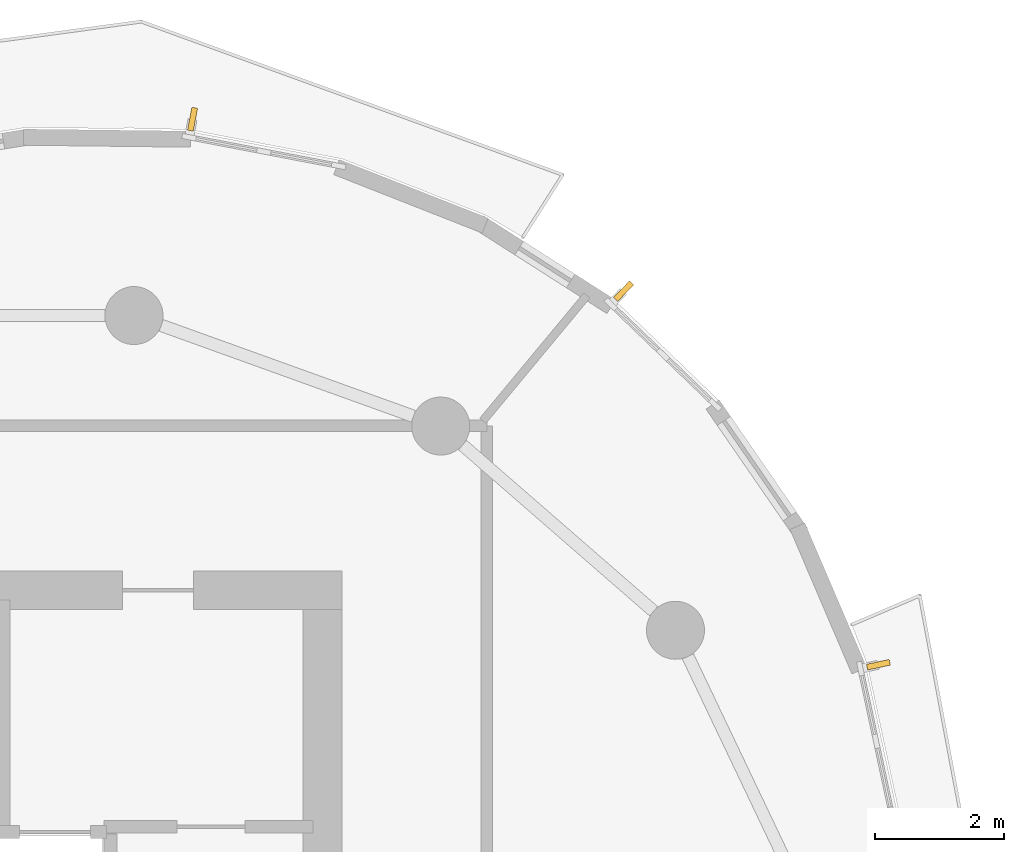
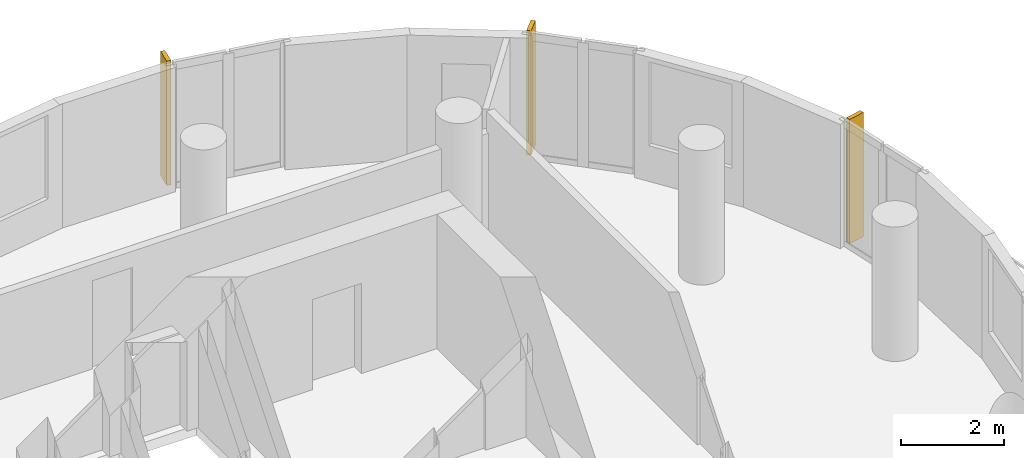
# One storey, part 9 of 9: 3 shading devices.
"""IFC4 building model written with IfcOpenShell, lengths in metres."""

from ifc_helpers import new_model, si_unit, direction, frame, origin, origin_2d, place, context, subcontext, project, spatial, rectangle, extrude, material, layer, layer_set, type_object, element, save


model = new_model("IFC4")

# Units and contexts
model_context = context("Model", 3, precision=1e-05, world=origin(), true_north=direction((0.0, 1.0)))
body_context = subcontext(model_context, "Body", "Model", "MODEL_VIEW")
ifc_project = project(units=[si_unit("LENGTHUNIT", "METRE"), si_unit("AREAUNIT", "SQUARE_METRE"), si_unit("VOLUMEUNIT", "CUBIC_METRE"), si_unit("PLANEANGLEUNIT", "RADIAN"), si_unit("MASSUNIT", "GRAM", prefix="KILO")], contexts=[model_context])

# Site, building, storey
site_placement = place(None, origin())
site = spatial("IfcSite", under=ifc_project, at=site_placement, CompositionType="ELEMENT")
building_placement = place(site_placement, origin())
building = spatial("IfcBuilding", under=site, at=building_placement, Name="Veldorim Arch Residences", CompositionType="ELEMENT")
storey_placement = place(building_placement, frame((0.0, 0.0, 163.0400390625)))
storey = spatial("IfcBuildingStorey", under=building, at=storey_placement, Name="L48", CompositionType="ELEMENT", Elevation=163.0400390625)

# Shading devices
ifc_material = material(Name="Terracotta Ceramic", Category="masonry")
ifc_layer = layer(ifc_material, 0.090087890625, Name="Vertical Extruded Terracotta Baguette Sun-Shading Fin")
ifc_layer_set = layer_set([ifc_layer], Name="Terracotta Ceramic")
shading_device_type = type_object("IfcShadingDeviceType", Name="Vertical Extruded Terracotta Baguette Sun-Shading Fin", PredefinedType="USERDEFINED", material=ifc_layer_set)
for number, where, z_axis, x_axis, name in (
    (1, (42.170654296875, 35.638427734375, 0.0), (0.0, 0.0, 1.0), (0.720187948577, -0.693779012888, 0.0), "L48 vertical terracotta sun-shading fin 01"),
    (2, (35.48388671875, 38.3056640625, 0.0), (0.0, 0.0, 1.0), (0.982189003456, -0.187895613278, 0.0), "L48 vertical terracotta sun-shading fin 04"),
    (3, (46.123046875, 29.843505859375, 0.0), (0.0, 0.0, 1.0), (0.209789215079, -0.977746636525, 0.0), "L48 vertical terracotta sun-shading fin 34"),
):
    element("IfcShadingDevice", number, at=place(storey_placement, frame(where, z_axis=z_axis, x_axis=x_axis)), inside=storey, type_object=shading_device_type, Name=name, ObjectType="FIN", PredefinedType="USERDEFINED", context=body_context, shape_type="SweptSolid", body=[
        extrude(rectangle(XDim=0.090087890625, YDim=0.360107421875, at=origin_2d()), origin(), (0.0, 0.0, 1.0), 2.9599609375),
    ])

save(model, "model.ifc")
